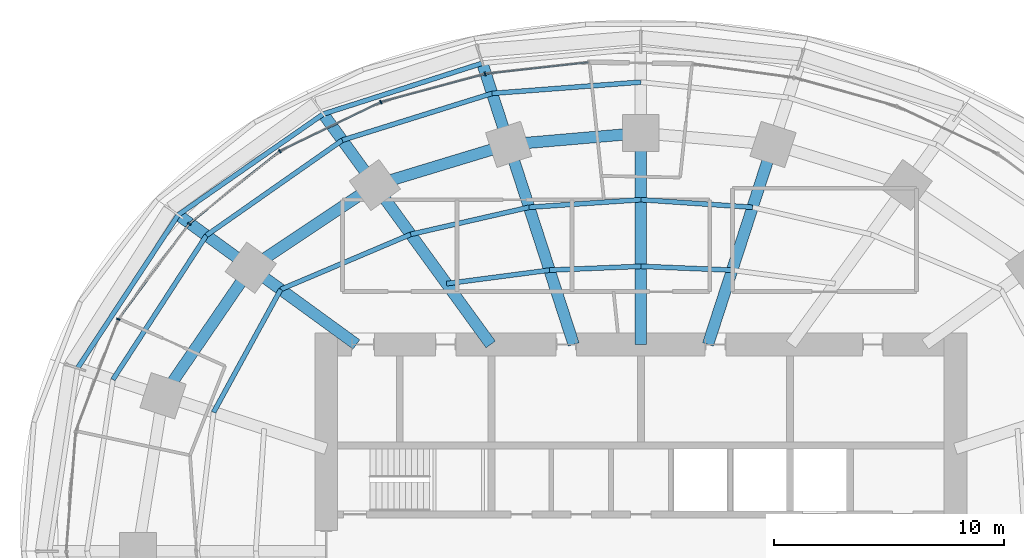
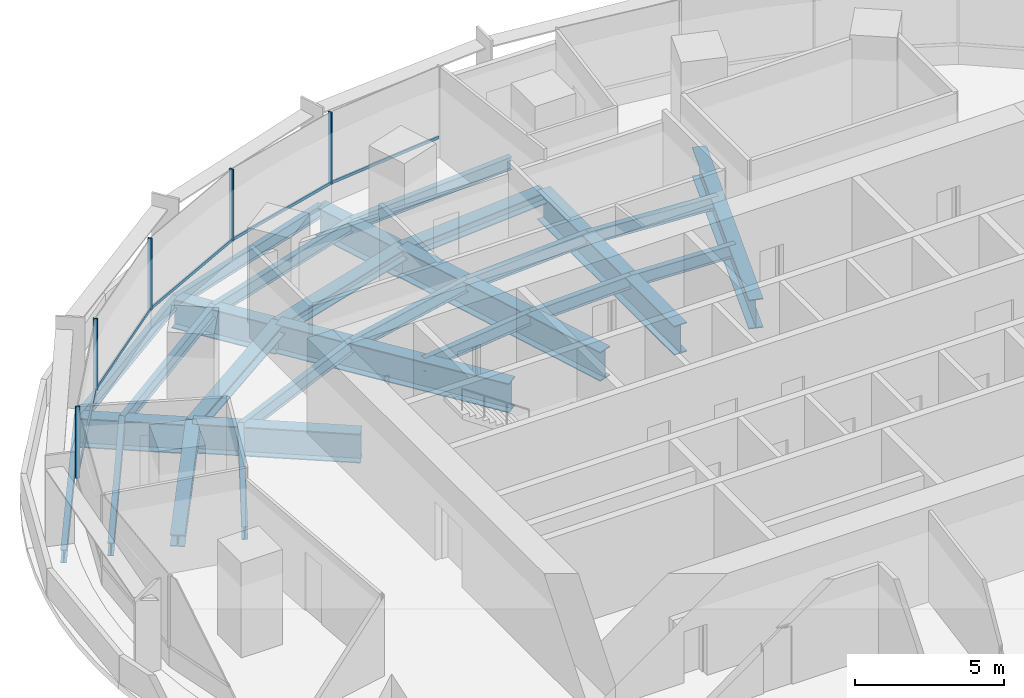
# One storey, part 7 of 15: 23 beams, 14 members, 2 elements without a shape of their own.
"""IFC4 building model written with IfcOpenShell, lengths in metres."""

from ifc_helpers import new_model, si_unit, direction, frame, origin, origin_2d, place, context, subcontext, project, spatial, rectangle, i_section, extrude, material, material_profile, profile_set, type_object, element, aggregate, save


model = new_model("IFC4")

# Units and contexts
model_context = context("Model", 3, precision=1e-05, world=origin(), true_north=direction((0.0, 1.0)))
body_context = subcontext(model_context, "Body", "Model", "MODEL_VIEW")
ifc_project = project(units=[si_unit("LENGTHUNIT", "METRE"), si_unit("AREAUNIT", "SQUARE_METRE"), si_unit("VOLUMEUNIT", "CUBIC_METRE"), si_unit("PLANEANGLEUNIT", "RADIAN"), si_unit("MASSUNIT", "GRAM", prefix="KILO")], contexts=[model_context])

# Site, building, storey
site_placement = place(None, origin())
site = spatial("IfcSite", under=ifc_project, at=site_placement, CompositionType="ELEMENT")
building_placement = place(site_placement, origin())
building = spatial("IfcBuilding", under=site, at=building_placement, Name="Marramba Exchange Tower", CompositionType="ELEMENT")
storey_placement = place(building_placement, frame((0.0, 0.0, 92.39990234375)))
storey = spatial("IfcBuildingStorey", under=building, at=storey_placement, Name="L21", CompositionType="ELEMENT", Elevation=92.39990234375)

# Members
ifc_material_1 = material(Name="Steel AS/NZS 3679.2 grade 300", Category="steel")
ifc_material_profile_1 = material_profile(ifc_material_1, i_section(OverallWidth=0.5, OverallDepth=0.47998046875, WebThickness=0.0400390625, FlangeThickness=0.0400390625, at=origin_2d()), Name="500WC440")
ifc_profile_set_1 = profile_set([ifc_material_profile_1], Name="Steel AS/NZS 3679.2 grade 300")
member_type_1 = type_object("IfcMemberType", Name="Belt truss chord 500WC440", PredefinedType="CHORD", material=ifc_profile_set_1)
member_1_placement = place(storey_placement, frame((0.0, 18.2041015625, -0.43994140625), z_axis=(-0.996311003275, -0.085815993578, 0.0), x_axis=(0.085815993578, -0.996311003275, 0.0)))
element("IfcMember", 1, at=member_1_placement, inside=storey, type_object=member_type_1, Name="Belt chord L21 TC06-TC07", PredefinedType="CHORD", context=body_context, shape_type="SweptSolid", body=[
    extrude(i_section(OverallWidth=0.5, OverallDepth=0.47998046875, WebThickness=0.0400390625, FlangeThickness=0.0400390625, at=origin_2d()), origin(), (0.0, 0.0, 1.0), 5.775146484375),
])
member_2_placement = place(storey_placement, frame((-5.75390625, 17.70849609375, -0.43994140625), z_axis=(-0.956924542524, -0.290336735387, 0.0), x_axis=(0.290336735387, -0.956924542524, 0.0)))
element("IfcMember", 2, at=member_2_placement, inside=storey, type_object=member_type_1, Name="Belt chord L21 TC07-TC08", PredefinedType="CHORD", context=body_context, shape_type="SweptSolid", body=[
    extrude(i_section(OverallWidth=0.5, OverallDepth=0.47998046875, WebThickness=0.0400390625, FlangeThickness=0.0400390625, at=origin_2d()), origin(), (0.0, 0.0, 1.0), 6.089599609375),
])
member_3_placement = place(storey_placement, frame((-11.581298828125, 15.9404296875, -0.43994140625), z_axis=(-0.832293151443, -0.554335737673, 0.0), x_axis=(0.554335737673, -0.832293151443, 0.0)))
element("IfcMember", 3, at=member_3_placement, inside=storey, type_object=member_type_1, Name="Belt chord L21 TC08-TC09", PredefinedType="CHORD", context=body_context, shape_type="SweptSolid", body=[
    extrude(i_section(OverallWidth=0.5, OverallDepth=0.47998046875, WebThickness=0.0400390625, FlangeThickness=0.0400390625, at=origin_2d()), origin(), (0.0, 0.0, 1.0), 6.49365234375),
])
member_4_placement = place(storey_placement, frame((-16.98583984375, 12.3408203125, -0.43994140625), z_axis=(-0.56516002054, -0.824981303535, 0.0), x_axis=(0.824981303535, -0.56516002054, 0.0)))
element("IfcMember", 4, at=member_4_placement, inside=storey, type_object=member_type_1, Name="Belt chord L21 TC09-TC10", PredefinedType="CHORD", context=body_context, shape_type="SweptSolid", body=[
    extrude(i_section(OverallWidth=0.5, OverallDepth=0.47998046875, WebThickness=0.0400390625, FlangeThickness=0.0400390625, at=origin_2d()), origin(), (0.0, 0.0, 1.0), 6.763671875),
])

# Beams
ifc_material_profile_2 = material_profile(ifc_material_1, i_section(OverallWidth=0.5, OverallDepth=1.199951171875, WebThickness=0.01611328125, FlangeThickness=0.0400390625, at=origin_2d()), Name="1200WB455")
ifc_profile_set_2 = profile_set([ifc_material_profile_2], Name="Steel AS/NZS 3679.2 grade 300")
beam_type_1 = type_object("IfcBeamType", Name="Cantilever girder 1200WB455", PredefinedType="BEAM", material=ifc_profile_set_2)
beam_1_placement = place(storey_placement, frame((-5.75390625, 17.70849609375, -0.849853515625), z_axis=(-0.308973290646, 0.951070715387, 0.0), x_axis=(-0.951070715387, -0.308973290646, 0.0)))
element("IfcBeam", 5, at=beam_1_placement, inside=storey, type_object=beam_type_1, Name="Cantilever girder L21 TC07", PredefinedType="BEAM", context=body_context, shape_type="SweptSolid", body=[
    extrude(i_section(OverallWidth=0.5, OverallDepth=1.199951171875, WebThickness=0.01611328125, FlangeThickness=0.0400390625, at=origin_2d()), origin(), (0.0, 0.0, 1.0), 3.72021484375),
])
beam_2_placement = place(storey_placement, frame((-11.581298828125, 15.9404296875, -0.849853515625), z_axis=(-0.587795827483, 0.809009310944, 0.0), x_axis=(-0.809009310944, -0.587795827483, 0.0)))
element("IfcBeam", 6, at=beam_2_placement, inside=storey, type_object=beam_type_1, Name="Cantilever girder L21 TC08", PredefinedType="BEAM", context=body_context, shape_type="SweptSolid", body=[
    extrude(i_section(OverallWidth=0.5, OverallDepth=1.199951171875, WebThickness=0.01611328125, FlangeThickness=0.0400390625, at=origin_2d()), origin(), (0.0, 0.0, 1.0), 3.82421875),
])
beam_3_placement = place(storey_placement, frame((-16.98583984375, 12.3408203125, -0.849853515625), z_axis=(-0.808987260856, 0.587826174793, 0.0), x_axis=(-0.587826174793, -0.808987260856, 0.0)))
element("IfcBeam", 7, at=beam_3_placement, inside=storey, type_object=beam_type_1, Name="Cantilever girder L21 TC09", PredefinedType="BEAM", context=body_context, shape_type="SweptSolid", body=[
    extrude(i_section(OverallWidth=0.5, OverallDepth=1.199951171875, WebThickness=0.01611328125, FlangeThickness=0.0400390625, at=origin_2d()), origin(), (0.0, 0.0, 1.0), 3.90771484375),
])
ifc_material_2 = material(Name="Steel AS/NZS 3679.1 grade 300", Category="steel")
ifc_material_profile_3 = material_profile(ifc_material_2, i_section(OverallWidth=0.208984375, OverallDepth=0.532958984375, WebThickness=0.01025390625, FlangeThickness=0.015625, FilletRadius=0.013916015625, at=origin_2d()), Name="530UB92.4")
ifc_profile_set_3 = profile_set([ifc_material_profile_3], Name="Steel AS/NZS 3679.1 grade 300")
beam_type_2 = type_object("IfcBeamType", Name="Floor joist 530UB92.4", PredefinedType="JOIST", material=ifc_profile_set_3)
beam_4_placement = place(storey_placement, frame((3.975830078125, 12.236083984375, -0.46630859375), z_axis=(-0.999137002892, 0.041536122257, 0.0), x_axis=(-0.041536122257, -0.999137002892, 0.0)))
element("IfcBeam", 8, at=beam_4_placement, inside=storey, type_object=beam_type_2, Name="Joist L21 bay 05 row 1", PredefinedType="JOIST", context=body_context, shape_type="SweptSolid", body=[
    extrude(i_section(OverallWidth=0.208984375, OverallDepth=0.532958984375, WebThickness=0.01025390625, FlangeThickness=0.015625, FilletRadius=0.013916015625, at=origin_2d()), origin(), (0.0, 0.0, 1.0), 3.979248046875),
])
beam_5_placement = place(storey_placement, frame((4.86474609375, 14.972412109375, -0.46630859375), z_axis=(-0.997702652202, 0.067745241816, 0.0), x_axis=(-0.067745241816, -0.997702652202, 0.0)))
element("IfcBeam", 9, at=beam_5_placement, inside=storey, type_object=beam_type_2, Name="Joist L21 bay 05 row 2", PredefinedType="JOIST", context=body_context, shape_type="SweptSolid", body=[
    extrude(i_section(OverallWidth=0.208984375, OverallDepth=0.532958984375, WebThickness=0.01025390625, FlangeThickness=0.015625, FilletRadius=0.013916015625, at=origin_2d()), origin(), (0.0, 0.0, 1.0), 4.8759765625),
])
beam_6_placement = place(storey_placement, frame((0.0, 12.4013671875, -0.46630859375), z_axis=(-0.999137002892, -0.041536122257, 0.0), x_axis=(0.041536122257, -0.999137002892, 0.0)))
element("IfcBeam", 10, at=beam_6_placement, inside=storey, type_object=beam_type_2, Name="Joist L21 bay 06 row 1", PredefinedType="JOIST", context=body_context, shape_type="SweptSolid", body=[
    extrude(i_section(OverallWidth=0.208984375, OverallDepth=0.532958984375, WebThickness=0.01025390625, FlangeThickness=0.015625, FilletRadius=0.013916015625, at=origin_2d()), origin(), (0.0, 0.0, 1.0), 3.979248046875),
])
beam_7_placement = place(storey_placement, frame((0.0, 15.302734375, -0.46630859375), z_axis=(-0.997702652202, -0.067745241816, 0.0), x_axis=(0.067745241816, -0.997702652202, 0.0)))
element("IfcBeam", 11, at=beam_7_placement, inside=storey, type_object=beam_type_2, Name="Joist L21 bay 06 row 2", PredefinedType="JOIST", context=body_context, shape_type="SweptSolid", body=[
    extrude(i_section(OverallWidth=0.208984375, OverallDepth=0.532958984375, WebThickness=0.01025390625, FlangeThickness=0.015625, FilletRadius=0.013916015625, at=origin_2d()), origin(), (0.0, 0.0, 1.0), 4.8759765625),
])
beam_8_placement = place(storey_placement, frame((-3.975830078125, 12.236083984375, -0.46630859375), z_axis=(-0.991480538255, -0.130254912618, 0.0), x_axis=(0.130254912618, -0.991480538255, 0.0)))
element("IfcBeam", 12, at=beam_8_placement, inside=storey, type_object=beam_type_2, Name="Joist L21 bay 07 row 1", PredefinedType="JOIST", context=body_context, shape_type="SweptSolid", body=[
    extrude(i_section(OverallWidth=0.208984375, OverallDepth=0.532958984375, WebThickness=0.01025390625, FlangeThickness=0.015625, FilletRadius=0.013916015625, at=origin_2d()), origin(), (0.0, 0.0, 1.0), 4.524658203125),
])
beam_9_placement = place(storey_placement, frame((-4.86474609375, 14.972412109375, -0.46630859375), z_axis=(-0.974859652292, -0.222819788916, 0.0), x_axis=(0.222819788916, -0.974859652292, 0.0)))
element("IfcBeam", 13, at=beam_9_placement, inside=storey, type_object=beam_type_2, Name="Joist L21 bay 07 row 2", PredefinedType="JOIST", context=body_context, shape_type="SweptSolid", body=[
    extrude(i_section(OverallWidth=0.208984375, OverallDepth=0.532958984375, WebThickness=0.01025390625, FlangeThickness=0.015625, FilletRadius=0.013916015625, at=origin_2d()), origin(), (0.0, 0.0, 1.0), 5.2900390625),
])
beam_10_placement = place(storey_placement, frame((-10.021728515625, 13.793701171875, -0.46630859375), z_axis=(-0.920674336375, -0.390331610738, 0.0), x_axis=(0.390331610738, -0.920674336375, 0.0)))
element("IfcBeam", 14, at=beam_10_placement, inside=storey, type_object=beam_type_2, Name="Joist L21 bay 08 row 2", PredefinedType="JOIST", context=body_context, shape_type="SweptSolid", body=[
    extrude(i_section(OverallWidth=0.208984375, OverallDepth=0.532958984375, WebThickness=0.01025390625, FlangeThickness=0.015625, FilletRadius=0.013916015625, at=origin_2d()), origin(), (0.0, 0.0, 1.0), 6.1484375),
])
beam_11_placement = place(storey_placement, frame((-15.682373046875, 11.393798828125, -0.46630859375), z_axis=(-0.479584443791, -0.877495732909, 0.0), x_axis=(0.877495732909, -0.479584443791, 0.0)))
element("IfcBeam", 15, at=beam_11_placement, inside=storey, type_object=beam_type_2, Name="Joist L21 bay 09 row 2", PredefinedType="JOIST", context=body_context, shape_type="SweptSolid", body=[
    extrude(i_section(OverallWidth=0.208984375, OverallDepth=0.532958984375, WebThickness=0.01025390625, FlangeThickness=0.015625, FilletRadius=0.013916015625, at=origin_2d()), origin(), (0.0, 0.0, 1.0), 6.094970703125),
])

# Curtain wall, member
ifc_material_3 = material(Name="Aluminium framing, bronze anodised", Category="aluminium")
curtain_wall_type = type_object("IfcCurtainWallType", Name="Office ribbon curtain wall", PredefinedType="USERDEFINED", material=ifc_material_3)
curtain_wall_1_placement = place(storey_placement, origin())
curtain_wall_1 = element("IfcCurtainWall", 16, at=curtain_wall_1_placement, inside=storey, type_object=curtain_wall_type, Name="Curtain wall CW4 L21 F09-F10", ObjectType="RIBBON CURTAIN WALL", PredefinedType="USERDEFINED")
ifc_material_4 = material(Name="Aluminium mullion, bronze anodised", Category="aluminium")
ifc_material_profile_4 = material_profile(ifc_material_4, rectangle(XDim=0.159912109375, YDim=0.06005859375, at=origin_2d()), Name="CW4 mullion 60x160")
ifc_profile_set_4 = profile_set([ifc_material_profile_4], Name="Aluminium mullion, bronze anodised")
member_type_2 = type_object("IfcMemberType", Name="Office ribbon curtain wall mullion", PredefinedType="MULLION", material=ifc_profile_set_4)
member_5_placement = place(storey_placement, frame((-6.783203125, 20.779541015625, 0.800048828125), z_axis=(0.0, 0.0, 1.0), x_axis=(0.260321294588, -0.965522047176, 0.0)))
member_5 = element("IfcMember", 17, at=member_5_placement, type_object=member_type_2, Name="CW4 mullion 1", PredefinedType="MULLION", context=body_context, shape_type="SweptSolid", body=[
    extrude(rectangle(XDim=0.159912109375, YDim=0.06005859375, at=origin_2d()), origin(), (0.0, 0.0, 1.0), 2.93994140625),
])

# Curtain wall, members
curtain_wall_2_placement = place(storey_placement, origin())
curtain_wall_2 = element("IfcCurtainWall", 18, at=curtain_wall_2_placement, inside=storey, type_object=curtain_wall_type, Name="Curtain wall CW4 L21 F11-F15", ObjectType="RIBBON CURTAIN WALL", PredefinedType="USERDEFINED")
member_6_placement = place(storey_placement, frame((-11.32177734375, 19.550048828125, 0.800048828125), z_axis=(0.0, 0.0, 1.0), x_axis=(0.435427626771, -0.900223739881, 0.0)))
member_6 = element("IfcMember", 19, at=member_6_placement, type_object=member_type_2, Name="CW4 mullion 1", PredefinedType="MULLION", context=body_context, shape_type="SweptSolid", body=[
    extrude(rectangle(XDim=0.159912109375, YDim=0.06005859375, at=origin_2d()), origin(), (0.0, 0.0, 1.0), 2.93994140625),
])
member_7_placement = place(storey_placement, frame((-15.720703125, 17.414794921875, 0.800048828125), z_axis=(0.0, 0.0, 1.0), x_axis=(0.624307950145, -0.78117833008, 0.0)))
member_7 = element("IfcMember", 20, at=member_7_placement, type_object=member_type_2, Name="CW4 mullion 1", PredefinedType="MULLION", context=body_context, shape_type="SweptSolid", body=[
    extrude(rectangle(XDim=0.159912109375, YDim=0.06005859375, at=origin_2d()), origin(), (0.0, 0.0, 1.0), 2.93994140625),
])
member_8_placement = place(storey_placement, frame((-19.666748046875, 14.251708984375, 0.800048828125), z_axis=(0.0, 0.0, 1.0), x_axis=(0.80171686484, -0.597703997504, 0.0)))
member_8 = element("IfcMember", 21, at=member_8_placement, type_object=member_type_2, Name="CW4 mullion 1", PredefinedType="MULLION", context=body_context, shape_type="SweptSolid", body=[
    extrude(rectangle(XDim=0.159912109375, YDim=0.06005859375, at=origin_2d()), origin(), (0.0, 0.0, 1.0), 2.93994140625),
])
member_9_placement = place(storey_placement, frame((-22.75341796875, 10.09765625, 0.800048828125), z_axis=(0.0, 0.0, 1.0), x_axis=(0.934925346317, -0.354844468484, 0.0)))
member_9 = element("IfcMember", 22, at=member_9_placement, type_object=member_type_2, Name="CW4 mullion 1", PredefinedType="MULLION", context=body_context, shape_type="SweptSolid", body=[
    extrude(rectangle(XDim=0.159912109375, YDim=0.06005859375, at=origin_2d()), origin(), (0.0, 0.0, 1.0), 2.93994140625),
])

# Member
ifc_material_5 = material(Name="Aluminium transom, bronze anodised", Category="aluminium")
ifc_material_profile_5 = material_profile(ifc_material_5, rectangle(XDim=0.06005859375, YDim=0.1201171875, at=origin_2d()), Name="CW4 transom 60x120")
ifc_profile_set_5 = profile_set([ifc_material_profile_5], Name="Aluminium transom, bronze anodised")
member_type_3 = type_object("IfcMemberType", Name="Office ribbon curtain wall transom", PredefinedType="USERDEFINED", material=ifc_profile_set_5)
member_10_placement = place(storey_placement, frame((-2.29736328125, 21.284912109375, 0.830078125), z_axis=(-0.993825837835, -0.110951358943, 0.0), x_axis=(0.110951358943, -0.993825837835, 0.0)))
member_10 = element("IfcMember", 23, at=member_10_placement, type_object=member_type_3, Name="CW4 sill transom", ObjectType="TRANSOM", PredefinedType="USERDEFINED", context=body_context, shape_type="SweptSolid", body=[
    extrude(rectangle(XDim=0.06005859375, YDim=0.1201171875, at=origin_2d()), origin(), (0.0, 0.0, 1.0), 4.484375),
])

member_11_placement = place(storey_placement, frame((-6.812255859375, 20.771728515625, 0.830078125), z_axis=(-0.965511085148, -0.260361948942, 0.0), x_axis=(0.260361948942, -0.965511085148, 0.0)))
member_11 = element("IfcMember", 24, at=member_11_placement, type_object=member_type_3, Name="CW4 sill transom", ObjectType="TRANSOM", PredefinedType="USERDEFINED", context=body_context, shape_type="SweptSolid", body=[
    extrude(rectangle(XDim=0.06005859375, YDim=0.1201171875, at=origin_2d()), origin(), (0.0, 0.0, 1.0), 4.642578125),
])

aggregate(curtain_wall_1, [member_10, member_5, member_11])

member_12_placement = place(storey_placement, frame((-11.348876953125, 19.536865234375, 0.830078125), z_axis=(-0.900223166385, -0.435428812442, 0.0), x_axis=(0.435428812442, -0.900223166385, 0.0)))
member_12 = element("IfcMember", 25, at=member_12_placement, type_object=member_type_3, Name="CW4 sill transom", ObjectType="TRANSOM", PredefinedType="USERDEFINED", context=body_context, shape_type="SweptSolid", body=[
    extrude(rectangle(XDim=0.06005859375, YDim=0.1201171875, at=origin_2d()), origin(), (0.0, 0.0, 1.0), 4.830322265625),
])

member_13_placement = place(storey_placement, frame((-15.744140625, 17.396240234375, 0.830078125), z_axis=(-0.781164169531, -0.624325668414, 0.0), x_axis=(0.624325668414, -0.781164169531, 0.0)))
member_13 = element("IfcMember", 26, at=member_13_placement, type_object=member_type_3, Name="CW4 sill transom", ObjectType="TRANSOM", PredefinedType="USERDEFINED", context=body_context, shape_type="SweptSolid", body=[
    extrude(rectangle(XDim=0.06005859375, YDim=0.1201171875, at=origin_2d()), origin(), (0.0, 0.0, 1.0), 4.998291015625),
])

member_14_placement = place(storey_placement, frame((-19.6845703125, 14.2275390625, 0.830078125), z_axis=(-0.597714731658, -0.801708862093, 0.0), x_axis=(0.801708862093, -0.597714731658, 0.0)))
member_14 = element("IfcMember", 27, at=member_14_placement, type_object=member_type_3, Name="CW4 sill transom", ObjectType="TRANSOM", PredefinedType="USERDEFINED", context=body_context, shape_type="SweptSolid", body=[
    extrude(rectangle(XDim=0.06005859375, YDim=0.1201171875, at=origin_2d()), origin(), (0.0, 0.0, 1.0), 5.1162109375),
])

aggregate(curtain_wall_2, [member_6, member_12, member_7, member_13, member_8, member_14, member_9])

# Beams
ifc_material_profile_6 = material_profile(ifc_material_1, i_section(OverallWidth=0.5, OverallDepth=1.199951171875, WebThickness=0.01611328125, FlangeThickness=0.0400390625, at=origin_2d()), Name="1200WB455")
ifc_profile_set_6 = profile_set([ifc_material_profile_6], Name="Steel AS/NZS 3679.2 grade 300")
beam_type_3 = type_object("IfcBeamType", Name="Radial girder 1200WB455", PredefinedType="BEAM", material=ifc_profile_set_6)
beam_12_placement = place(storey_placement, frame((2.92431640625, 9.0, -0.7998046875), z_axis=(0.309019754162, 0.951055619582, 0.0), x_axis=(-0.951055619582, 0.309019754162, 0.0)))
element("IfcBeam", 28, at=beam_12_placement, inside=storey, type_object=beam_type_3, Name="Radial girder L21 TC05", PredefinedType="BEAM", context=body_context, shape_type="SweptSolid", body=[
    extrude(i_section(OverallWidth=0.5, OverallDepth=1.199951171875, WebThickness=0.01611328125, FlangeThickness=0.0400390625, at=origin_2d()), origin(), (0.0, 0.0, 1.0), 9.15673828125),
])
beam_13_placement = place(storey_placement, frame((0.0, 9.0, -0.7998046875), z_axis=(0.0, 1.0, 0.0), x_axis=(-1.0, 0.0, 0.0)))
element("IfcBeam", 29, at=beam_13_placement, inside=storey, type_object=beam_type_3, Name="Radial girder L21 TC06", PredefinedType="BEAM", context=body_context, shape_type="SweptSolid", body=[
    extrude(i_section(OverallWidth=0.5, OverallDepth=1.199951171875, WebThickness=0.01611328125, FlangeThickness=0.0400390625, at=origin_2d()), origin(), (0.0, 0.0, 1.0), 9.2041015625),
])
beam_14_placement = place(storey_placement, frame((-2.92431640625, 9.0, -0.7998046875), z_axis=(-0.309019754162, 0.951055619582, 0.0), x_axis=(-0.951055619582, -0.309019754162, 0.0)))
element("IfcBeam", 30, at=beam_14_placement, inside=storey, type_object=beam_type_3, Name="Radial girder L21 TC07", PredefinedType="BEAM", context=body_context, shape_type="SweptSolid", body=[
    extrude(i_section(OverallWidth=0.5, OverallDepth=1.199951171875, WebThickness=0.01611328125, FlangeThickness=0.0400390625, at=origin_2d()), origin(), (0.0, 0.0, 1.0), 9.15673828125),
])
beam_15_placement = place(storey_placement, frame((-6.538818359375, 9.0, -0.7998046875), z_axis=(-0.587782439969, 0.80901903764, 0.0), x_axis=(-0.80901903764, -0.587782439969, 0.0)))
element("IfcBeam", 31, at=beam_15_placement, inside=storey, type_object=beam_type_3, Name="Radial girder L21 TC08", PredefinedType="BEAM", context=body_context, shape_type="SweptSolid", body=[
    extrude(i_section(OverallWidth=0.5, OverallDepth=1.199951171875, WebThickness=0.01611328125, FlangeThickness=0.0400390625, at=origin_2d()), origin(), (0.0, 0.0, 1.0), 8.578857421875),
])
beam_16_placement = place(storey_placement, frame((-12.387451171875, 9.0, -0.7998046875), z_axis=(-0.809025746925, 0.587773205252, 0.0), x_axis=(-0.587773205252, -0.809025746925, 0.0)))
element("IfcBeam", 32, at=beam_16_placement, inside=storey, type_object=beam_type_3, Name="Radial girder L21 TC09", PredefinedType="BEAM", context=body_context, shape_type="SweptSolid", body=[
    extrude(i_section(OverallWidth=0.5, OverallDepth=1.199951171875, WebThickness=0.01611328125, FlangeThickness=0.0400390625, at=origin_2d()), origin(), (0.0, 0.0, 1.0), 5.683837890625),
])
ifc_material_profile_7 = material_profile(ifc_material_2, i_section(OverallWidth=0.208984375, OverallDepth=0.528076171875, WebThickness=0.009521484375, FlangeThickness=0.01318359375, FilletRadius=0.013916015625, at=origin_2d()), Name="530UB82.0")
ifc_profile_set_7 = profile_set([ifc_material_profile_7], Name="Steel AS/NZS 3679.1 grade 300")
beam_type_4 = type_object("IfcBeamType", Name="Slab edge beam 530UB82.0", PredefinedType="SPANDREL", material=ifc_profile_set_7)
beam_17_placement = place(storey_placement, frame((-6.9033203125, 21.24658203125, -0.513916015625), z_axis=(-0.952577642997, -0.304295635957, 0.0), x_axis=(0.304295635957, -0.952577642997, 0.0)))
element("IfcBeam", 33, at=beam_17_placement, inside=storey, type_object=beam_type_4, Name="Setback roof edge beam L21 TC07-TC08", PredefinedType="SPANDREL", context=body_context, shape_type="SweptSolid", body=[
    extrude(i_section(OverallWidth=0.208984375, OverallDepth=0.528076171875, WebThickness=0.009521484375, FlangeThickness=0.01318359375, FilletRadius=0.013916015625, at=origin_2d()), origin(), (0.0, 0.0, 1.0), 7.2705078125),
])
beam_18_placement = place(storey_placement, frame((-13.8291015625, 19.0341796875, -0.513916015625), z_axis=(-0.820842487183, -0.571154629882, 0.0), x_axis=(0.571154629882, -0.820842487183, 0.0)))
element("IfcBeam", 34, at=beam_18_placement, inside=storey, type_object=beam_type_4, Name="Setback roof edge beam L21 TC08-TC09", PredefinedType="SPANDREL", context=body_context, shape_type="SweptSolid", body=[
    extrude(i_section(OverallWidth=0.208984375, OverallDepth=0.528076171875, WebThickness=0.009521484375, FlangeThickness=0.01318359375, FilletRadius=0.013916015625, at=origin_2d()), origin(), (0.0, 0.0, 1.0), 7.697021484375),
])
beam_19_placement = place(storey_placement, frame((-20.147216796875, 14.637939453125, -0.513916015625), z_axis=(-0.549123544095, -0.835741188001, 0.0), x_axis=(0.835741188001, -0.549123544095, 0.0)))
element("IfcBeam", 35, at=beam_19_placement, inside=storey, type_object=beam_type_4, Name="Setback roof edge beam L21 TC09-TC10", PredefinedType="SPANDREL", context=body_context, shape_type="SweptSolid", body=[
    extrude(i_section(OverallWidth=0.208984375, OverallDepth=0.528076171875, WebThickness=0.009521484375, FlangeThickness=0.01318359375, FilletRadius=0.013916015625, at=origin_2d()), origin(), (0.0, 0.0, 1.0), 7.978759765625),
])
beam_20_placement = place(storey_placement, frame((0.0, 20.423095703125, -0.4638671875), z_axis=(-0.997130060962, -0.075707605473, 0.0), x_axis=(0.075707605473, -0.997130060962, 0.0)))
element("IfcBeam", 36, at=beam_20_placement, inside=storey, type_object=beam_type_4, Name="Slab edge beam L21 TC06-TC07", PredefinedType="SPANDREL", context=body_context, shape_type="SweptSolid", body=[
    extrude(i_section(OverallWidth=0.208984375, OverallDepth=0.528076171875, WebThickness=0.009521484375, FlangeThickness=0.01318359375, FilletRadius=0.013916015625, at=origin_2d()), origin(), (0.0, 0.0, 1.0), 6.49462890625),
])
beam_21_placement = place(storey_placement, frame((-6.47607421875, 19.931396484375, -0.4638671875), z_axis=(-0.954536523364, -0.298093987802, 0.0), x_axis=(0.298093987802, -0.954536523364, 0.0)))
element("IfcBeam", 37, at=beam_21_placement, inside=storey, type_object=beam_type_4, Name="Slab edge beam L21 TC07-TC08", PredefinedType="SPANDREL", context=body_context, shape_type="SweptSolid", body=[
    extrude(i_section(OverallWidth=0.208984375, OverallDepth=0.528076171875, WebThickness=0.009521484375, FlangeThickness=0.01318359375, FilletRadius=0.013916015625, at=origin_2d()), origin(), (0.0, 0.0, 1.0), 6.83544921875),
])
beam_22_placement = place(storey_placement, frame((-13.000732421875, 17.893798828125, -0.4638671875), z_axis=(-0.819019229206, -0.573766069223, 0.0), x_axis=(0.573766069223, -0.819019229206, 0.0)))
element("IfcBeam", 38, at=beam_22_placement, inside=storey, type_object=beam_type_4, Name="Slab edge beam L21 TC08-TC09", PredefinedType="SPANDREL", context=body_context, shape_type="SweptSolid", body=[
    extrude(i_section(OverallWidth=0.208984375, OverallDepth=0.528076171875, WebThickness=0.009521484375, FlangeThickness=0.01318359375, FilletRadius=0.013916015625, at=origin_2d()), origin(), (0.0, 0.0, 1.0), 7.22802734375),
])
beam_23_placement = place(storey_placement, frame((-18.920654296875, 13.74658203125, -0.4638671875), z_axis=(-0.543860127265, -0.83917588262, 0.0), x_axis=(0.83917588262, -0.543860127265, 0.0)))
element("IfcBeam", 39, at=beam_23_placement, inside=storey, type_object=beam_type_4, Name="Slab edge beam L21 TC09-TC10", PredefinedType="SPANDREL", context=body_context, shape_type="SweptSolid", body=[
    extrude(i_section(OverallWidth=0.208984375, OverallDepth=0.528076171875, WebThickness=0.009521484375, FlangeThickness=0.01318359375, FilletRadius=0.013916015625, at=origin_2d()), origin(), (0.0, 0.0, 1.0), 7.47998046875),
])

save(model, "model.ifc")
